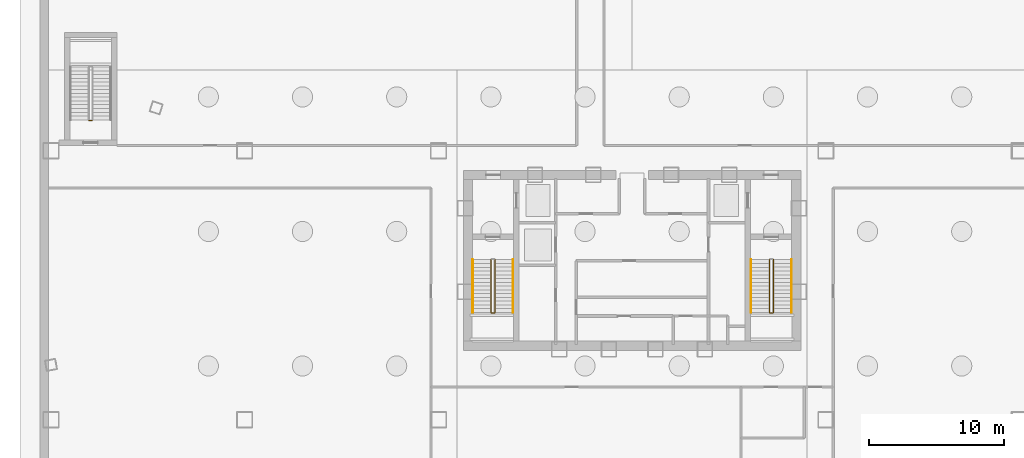
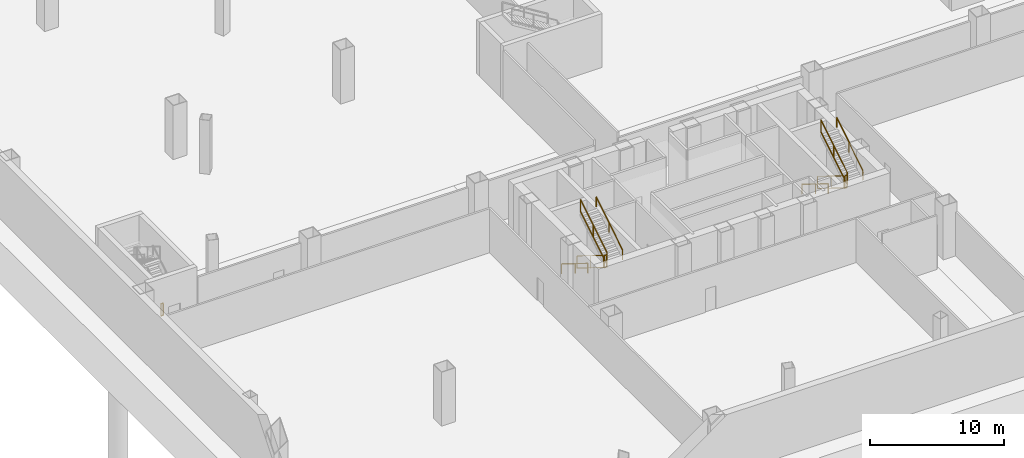
# One storey, part 12 of 15: 11 railings.
"""IFC4 building model written with IfcOpenShell, lengths in metres."""

from ifc_helpers import new_model, si_unit, direction, frame, origin, origin_2d, place, context, subcontext, project, spatial, rectangle, extrude, material, type_object, element, save


model = new_model("IFC4")

# Units and contexts
model_context = context("Model", 3, precision=1e-05, world=origin(), true_north=direction((0.0, 1.0)))
body_context = subcontext(model_context, "Body", "Model", "MODEL_VIEW")
ifc_project = project(units=[si_unit("LENGTHUNIT", "METRE"), si_unit("AREAUNIT", "SQUARE_METRE"), si_unit("VOLUMEUNIT", "CUBIC_METRE"), si_unit("PLANEANGLEUNIT", "RADIAN"), si_unit("MASSUNIT", "GRAM", prefix="KILO"), si_unit("THERMODYNAMICTEMPERATUREUNIT", "KELVIN"), si_unit("POWERUNIT", "WATT")], contexts=[model_context])

# Site, building, storey
site_placement = place(None, origin())
site = spatial("IfcSite", under=ifc_project, at=site_placement, CompositionType="ELEMENT")
building_placement = place(site_placement, origin())
building = spatial("IfcBuilding", under=site, at=building_placement, Name="Yunzhuo Pagoda Commons", CompositionType="ELEMENT")
storey_placement = place(building_placement, frame((0.0, 0.0, -10.0)))
storey = spatial("IfcBuildingStorey", under=building, at=storey_placement, Name="B02", CompositionType="ELEMENT", Elevation=-10.0)

# Railings
ifc_material = material(Name="Anodized aluminium 6063-T6", Category="aluminium")
railing_type_1 = type_object("IfcRailingType", Name="GR-PS3 Podium Well Guardrail 1150", PredefinedType="GUARDRAIL", material=ifc_material)
railing_1_placement = place(storey_placement, frame((7.85009765625, 44.25, 0.0)))
element("IfcRailing", 1, at=railing_1_placement, inside=storey, type_object=railing_type_1, Name="B02 PS3 stair guard 4", PredefinedType="GUARDRAIL", context=body_context, shape_type="SweptSolid", body=[
    extrude(rectangle(XDim=0.048095703125, YDim=0.048095703125, at=origin_2d()), frame((0.0, 0.0, 1.1259765625), z_axis=(-1.0, 0.0, 0.0), x_axis=(0.0, -1.0, 0.0)), (0.0, 0.0, 1.0), 0.2001953125),
    extrude(rectangle(XDim=0.048095703125, YDim=0.048095703125, at=origin_2d()), frame((0.0, 0.0, 0.02392578125), z_axis=(-1.0, 0.0, 0.0), x_axis=(0.0, -1.0, 0.0)), (0.0, 0.0, 1.0), 0.2001953125),
    extrude(rectangle(XDim=0.0419921875, YDim=0.0419921875, at=origin_2d()), origin(), (0.0, 0.0, 1.0), 1.101806640625),
    extrude(rectangle(XDim=0.0419921875, YDim=0.0419921875, at=origin_2d()), frame((-0.2001953125, 0.0, 0.0)), (0.0, 0.0, 1.0), 1.101806640625),
])
railing_type_2 = type_object("IfcRailingType", Name="GR-ST1 Stair Well Guardrail 1150", PredefinedType="GUARDRAIL", material=ifc_material)
railing_2_placement = place(storey_placement, frame((37.5, 33.89990234375, 0.17333984375)))
element("IfcRailing", 2, at=railing_2_placement, inside=storey, type_object=railing_type_2, Name="B02 ST1 stair guard 1", PredefinedType="GUARDRAIL", context=body_context, shape_type="SweptSolid", body=[
    extrude(rectangle(XDim=0.048095703125, YDim=0.048095703125, at=origin_2d()), frame((0.0, 0.0, 1.1259765625), z_axis=(0.0, -0.850251603719, 0.526376491091), x_axis=(1.0, 0.0, 0.0)), (0.0, 0.0, 1.0), 4.6103515625),
    extrude(rectangle(XDim=0.048095703125, YDim=0.048095703125, at=origin_2d()), frame((0.0, 0.0, 0.02392578125), z_axis=(0.0, -0.850251603719, 0.526376491091), x_axis=(1.0, 0.0, 0.0)), (0.0, 0.0, 1.0), 4.6103515625),
    extrude(rectangle(XDim=0.0419921875, YDim=0.0419921875, at=origin_2d()), origin(), (0.0, 0.0, 1.0), 1.101806640625),
    extrude(rectangle(XDim=0.0419921875, YDim=0.0419921875, at=origin_2d()), frame((0.0, -2.04052734375, 1.26318359375)), (0.0, 0.0, 1.0), 1.101806640625),
    extrude(rectangle(XDim=0.0419921875, YDim=0.0419921875, at=origin_2d()), frame((0.0, -3.919921875, 2.4267578125)), (0.0, 0.0, 1.0), 1.101806640625),
])
railing_3_placement = place(storey_placement, frame((37.550048828125, 29.929931640625, 2.60009765625)))
element("IfcRailing", 3, at=railing_3_placement, inside=storey, type_object=railing_type_2, Name="B02 ST1 stair guard 2", PredefinedType="GUARDRAIL", context=body_context, shape_type="SweptSolid", body=[
    extrude(rectangle(XDim=0.048095703125, YDim=0.048095703125, at=origin_2d()), frame((0.0, 0.0, 1.1259765625), z_axis=(1.0, 0.0, 0.0), x_axis=(0.0, 1.0, 0.0)), (0.0, 0.0, 1.0), 0.199951171875),
    extrude(rectangle(XDim=0.048095703125, YDim=0.048095703125, at=origin_2d()), frame((0.0, 0.0, 0.02392578125), z_axis=(1.0, 0.0, 0.0), x_axis=(0.0, 1.0, 0.0)), (0.0, 0.0, 1.0), 0.199951171875),
    extrude(rectangle(XDim=0.0419921875, YDim=0.0419921875, at=origin_2d()), origin(), (0.0, 0.0, 1.0), 1.101806640625),
    extrude(rectangle(XDim=0.0419921875, YDim=0.0419921875, at=origin_2d()), frame((0.199951171875, 0.0, 0.0)), (0.0, 0.0, 1.0), 1.101806640625),
])
railing_4_placement = place(storey_placement, frame((37.800048828125, 29.97998046875, 2.7734375)))
element("IfcRailing", 4, at=railing_4_placement, inside=storey, type_object=railing_type_2, Name="B02 ST1 stair guard 3", PredefinedType="GUARDRAIL", context=body_context, shape_type="SweptSolid", body=[
    extrude(rectangle(XDim=0.048095703125, YDim=0.048095703125, at=origin_2d()), frame((0.0, 0.0, 1.1259765625), z_axis=(0.0, 0.850275303828, 0.526338206574), x_axis=(-1.0, 0.0, 0.0)), (0.0, 0.0, 1.0), 4.610107421875),
    extrude(rectangle(XDim=0.048095703125, YDim=0.048095703125, at=origin_2d()), frame((0.0, 0.0, 0.02392578125), z_axis=(0.0, 0.850275303828, 0.526338206574), x_axis=(-1.0, 0.0, 0.0)), (0.0, 0.0, 1.0), 4.610107421875),
    extrude(rectangle(XDim=0.0419921875, YDim=0.0419921875, at=origin_2d()), origin(), (0.0, 0.0, 1.0), 1.101806640625),
    extrude(rectangle(XDim=0.0419921875, YDim=0.0419921875, at=origin_2d()), frame((0.0, 2.040771484375, 1.26318359375)), (0.0, 0.0, 1.0), 1.101806640625),
    extrude(rectangle(XDim=0.0419921875, YDim=0.0419921875, at=origin_2d()), frame((0.0, 3.919921875, 2.426513671875)), (0.0, 0.0, 1.0), 1.101806640625),
])
railing_type_3 = type_object("IfcRailingType", Name="GR-ST2 Stair Well Guardrail 1160", PredefinedType="GUARDRAIL", material=ifc_material)
railing_5_placement = place(storey_placement, frame((58.199951171875, 33.89990234375, 0.17333984375)))
element("IfcRailing", 5, at=railing_5_placement, inside=storey, type_object=railing_type_3, Name="B02 ST2 stair guard 1", PredefinedType="GUARDRAIL", context=body_context, shape_type="SweptSolid", body=[
    extrude(rectangle(XDim=0.048095703125, YDim=0.048095703125, at=origin_2d()), frame((0.0, 0.0, 1.1259765625), z_axis=(0.0, -0.850251603719, 0.526376491091), x_axis=(1.0, 0.0, 0.0)), (0.0, 0.0, 1.0), 4.6103515625),
    extrude(rectangle(XDim=0.048095703125, YDim=0.048095703125, at=origin_2d()), frame((0.0, 0.0, 0.02392578125), z_axis=(0.0, -0.850251603719, 0.526376491091), x_axis=(1.0, 0.0, 0.0)), (0.0, 0.0, 1.0), 4.6103515625),
    extrude(rectangle(XDim=0.0419921875, YDim=0.0419921875, at=origin_2d()), origin(), (0.0, 0.0, 1.0), 1.101806640625),
    extrude(rectangle(XDim=0.0419921875, YDim=0.0419921875, at=origin_2d()), frame((0.0, -2.04052734375, 1.26318359375)), (0.0, 0.0, 1.0), 1.101806640625),
    extrude(rectangle(XDim=0.0419921875, YDim=0.0419921875, at=origin_2d()), frame((0.0, -3.919921875, 2.4267578125)), (0.0, 0.0, 1.0), 1.101806640625),
])
railing_6_placement = place(storey_placement, frame((58.25, 29.929931640625, 2.60009765625)))
element("IfcRailing", 6, at=railing_6_placement, inside=storey, type_object=railing_type_3, Name="B02 ST2 stair guard 2", PredefinedType="GUARDRAIL", context=body_context, shape_type="SweptSolid", body=[
    extrude(rectangle(XDim=0.048095703125, YDim=0.048095703125, at=origin_2d()), frame((0.0, 0.0, 1.1259765625), z_axis=(1.0, 0.0, 0.0), x_axis=(0.0, 1.0, 0.0)), (0.0, 0.0, 1.0), 0.199951171875),
    extrude(rectangle(XDim=0.048095703125, YDim=0.048095703125, at=origin_2d()), frame((0.0, 0.0, 0.02392578125), z_axis=(1.0, 0.0, 0.0), x_axis=(0.0, 1.0, 0.0)), (0.0, 0.0, 1.0), 0.199951171875),
    extrude(rectangle(XDim=0.0419921875, YDim=0.0419921875, at=origin_2d()), origin(), (0.0, 0.0, 1.0), 1.101806640625),
    extrude(rectangle(XDim=0.0419921875, YDim=0.0419921875, at=origin_2d()), frame((0.199951171875, 0.0, 0.0)), (0.0, 0.0, 1.0), 1.101806640625),
])
railing_7_placement = place(storey_placement, frame((58.5, 29.97998046875, 2.7734375)))
element("IfcRailing", 7, at=railing_7_placement, inside=storey, type_object=railing_type_3, Name="B02 ST2 stair guard 3", PredefinedType="GUARDRAIL", context=body_context, shape_type="SweptSolid", body=[
    extrude(rectangle(XDim=0.048095703125, YDim=0.048095703125, at=origin_2d()), frame((0.0, 0.0, 1.1259765625), z_axis=(0.0, 0.850275303828, 0.526338206574), x_axis=(-1.0, 0.0, 0.0)), (0.0, 0.0, 1.0), 4.610107421875),
    extrude(rectangle(XDim=0.048095703125, YDim=0.048095703125, at=origin_2d()), frame((0.0, 0.0, 0.02392578125), z_axis=(0.0, 0.850275303828, 0.526338206574), x_axis=(-1.0, 0.0, 0.0)), (0.0, 0.0, 1.0), 4.610107421875),
    extrude(rectangle(XDim=0.0419921875, YDim=0.0419921875, at=origin_2d()), origin(), (0.0, 0.0, 1.0), 1.101806640625),
    extrude(rectangle(XDim=0.0419921875, YDim=0.0419921875, at=origin_2d()), frame((0.0, 2.040771484375, 1.26318359375)), (0.0, 0.0, 1.0), 1.101806640625),
    extrude(rectangle(XDim=0.0419921875, YDim=0.0419921875, at=origin_2d()), frame((0.0, 3.919921875, 2.426513671875)), (0.0, 0.0, 1.0), 1.101806640625),
])
railing_type_4 = type_object("IfcRailingType", Name="HR-ST1 Stair Handrail 900", PredefinedType="HANDRAIL", material=ifc_material)
railing_8_placement = place(storey_placement, frame((36.14990234375, 33.89990234375, 0.17333984375)))
element("IfcRailing", 8, at=railing_8_placement, inside=storey, type_object=railing_type_4, Name="B02 ST1 stair handrail 1", PredefinedType="HANDRAIL", context=body_context, shape_type="SweptSolid", body=[
    extrude(rectangle(XDim=0.048095703125, YDim=0.048095703125, at=origin_2d()), frame((0.0, 0.0, 0.8759765625), z_axis=(0.0, -0.850251603719, 0.526376491091), x_axis=(1.0, 0.0, 0.0)), (0.0, 0.0, 1.0), 4.6103515625),
    extrude(rectangle(XDim=0.0419921875, YDim=0.0419921875, at=origin_2d()), origin(), (0.0, 0.0, 1.0), 0.851806640625),
    extrude(rectangle(XDim=0.0419921875, YDim=0.0419921875, at=origin_2d()), frame((0.0, -2.04052734375, 1.26318359375)), (0.0, 0.0, 1.0), 0.851806640625),
    extrude(rectangle(XDim=0.0419921875, YDim=0.0419921875, at=origin_2d()), frame((0.0, -3.919921875, 2.4267578125)), (0.0, 0.0, 1.0), 0.851806640625),
])
railing_9_placement = place(storey_placement, frame((39.14990234375, 29.97998046875, 2.7734375)))
element("IfcRailing", 9, at=railing_9_placement, inside=storey, type_object=railing_type_4, Name="B02 ST1 stair handrail 2", PredefinedType="HANDRAIL", context=body_context, shape_type="SweptSolid", body=[
    extrude(rectangle(XDim=0.048095703125, YDim=0.048095703125, at=origin_2d()), frame((0.0, 0.0, 0.8759765625), z_axis=(0.0, 0.850275303828, 0.526338206574), x_axis=(-1.0, 0.0, 0.0)), (0.0, 0.0, 1.0), 4.610107421875),
    extrude(rectangle(XDim=0.0419921875, YDim=0.0419921875, at=origin_2d()), origin(), (0.0, 0.0, 1.0), 0.851806640625),
    extrude(rectangle(XDim=0.0419921875, YDim=0.0419921875, at=origin_2d()), frame((0.0, 2.040771484375, 1.26318359375)), (0.0, 0.0, 1.0), 0.851806640625),
    extrude(rectangle(XDim=0.0419921875, YDim=0.0419921875, at=origin_2d()), frame((0.0, 3.919921875, 2.426513671875)), (0.0, 0.0, 1.0), 0.851806640625),
])
railing_type_5 = type_object("IfcRailingType", Name="HR-ST2 Stair Handrail 900", PredefinedType="HANDRAIL", material=ifc_material)
railing_10_placement = place(storey_placement, frame((56.85009765625, 33.89990234375, 0.17333984375)))
element("IfcRailing", 10, at=railing_10_placement, inside=storey, type_object=railing_type_5, Name="B02 ST2 stair handrail 1", PredefinedType="HANDRAIL", context=body_context, shape_type="SweptSolid", body=[
    extrude(rectangle(XDim=0.048095703125, YDim=0.048095703125, at=origin_2d()), frame((0.0, 0.0, 0.8759765625), z_axis=(0.0, -0.850251603719, 0.526376491091), x_axis=(1.0, 0.0, 0.0)), (0.0, 0.0, 1.0), 4.6103515625),
    extrude(rectangle(XDim=0.0419921875, YDim=0.0419921875, at=origin_2d()), origin(), (0.0, 0.0, 1.0), 0.851806640625),
    extrude(rectangle(XDim=0.0419921875, YDim=0.0419921875, at=origin_2d()), frame((0.0, -2.04052734375, 1.26318359375)), (0.0, 0.0, 1.0), 0.851806640625),
    extrude(rectangle(XDim=0.0419921875, YDim=0.0419921875, at=origin_2d()), frame((0.0, -3.919921875, 2.4267578125)), (0.0, 0.0, 1.0), 0.851806640625),
])
railing_11_placement = place(storey_placement, frame((59.85009765625, 29.97998046875, 2.7734375)))
element("IfcRailing", 11, at=railing_11_placement, inside=storey, type_object=railing_type_5, Name="B02 ST2 stair handrail 2", PredefinedType="HANDRAIL", context=body_context, shape_type="SweptSolid", body=[
    extrude(rectangle(XDim=0.048095703125, YDim=0.048095703125, at=origin_2d()), frame((0.0, 0.0, 0.8759765625), z_axis=(0.0, 0.850275303828, 0.526338206574), x_axis=(-1.0, 0.0, 0.0)), (0.0, 0.0, 1.0), 4.610107421875),
    extrude(rectangle(XDim=0.0419921875, YDim=0.0419921875, at=origin_2d()), origin(), (0.0, 0.0, 1.0), 0.851806640625),
    extrude(rectangle(XDim=0.0419921875, YDim=0.0419921875, at=origin_2d()), frame((0.0, 2.040771484375, 1.26318359375)), (0.0, 0.0, 1.0), 0.851806640625),
    extrude(rectangle(XDim=0.0419921875, YDim=0.0419921875, at=origin_2d()), frame((0.0, 3.919921875, 2.426513671875)), (0.0, 0.0, 1.0), 0.851806640625),
])

save(model, "model.ifc")
